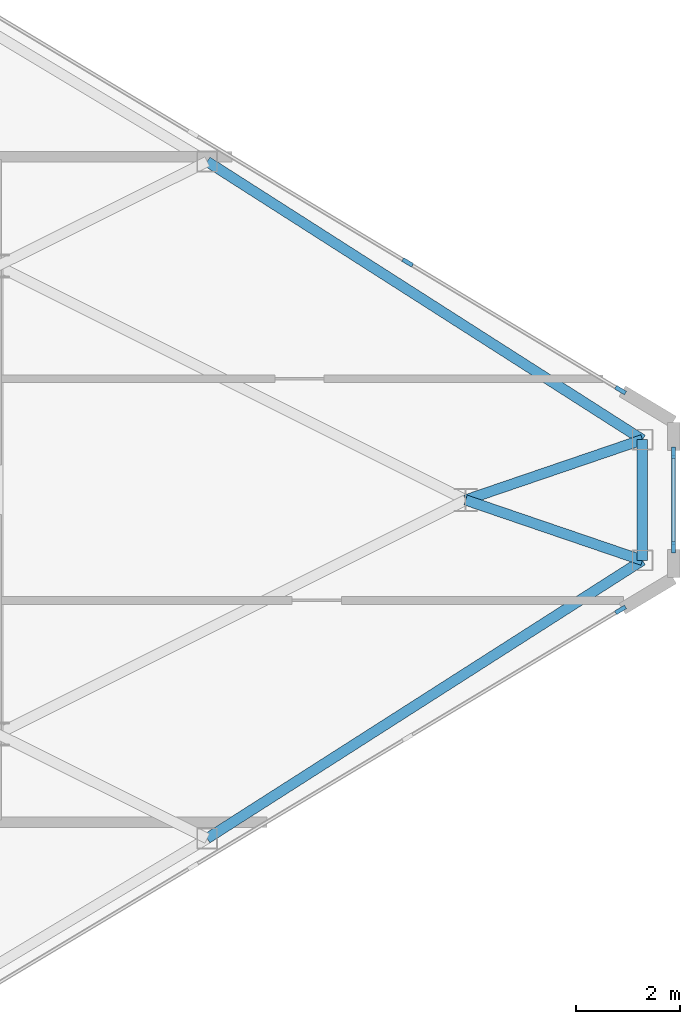
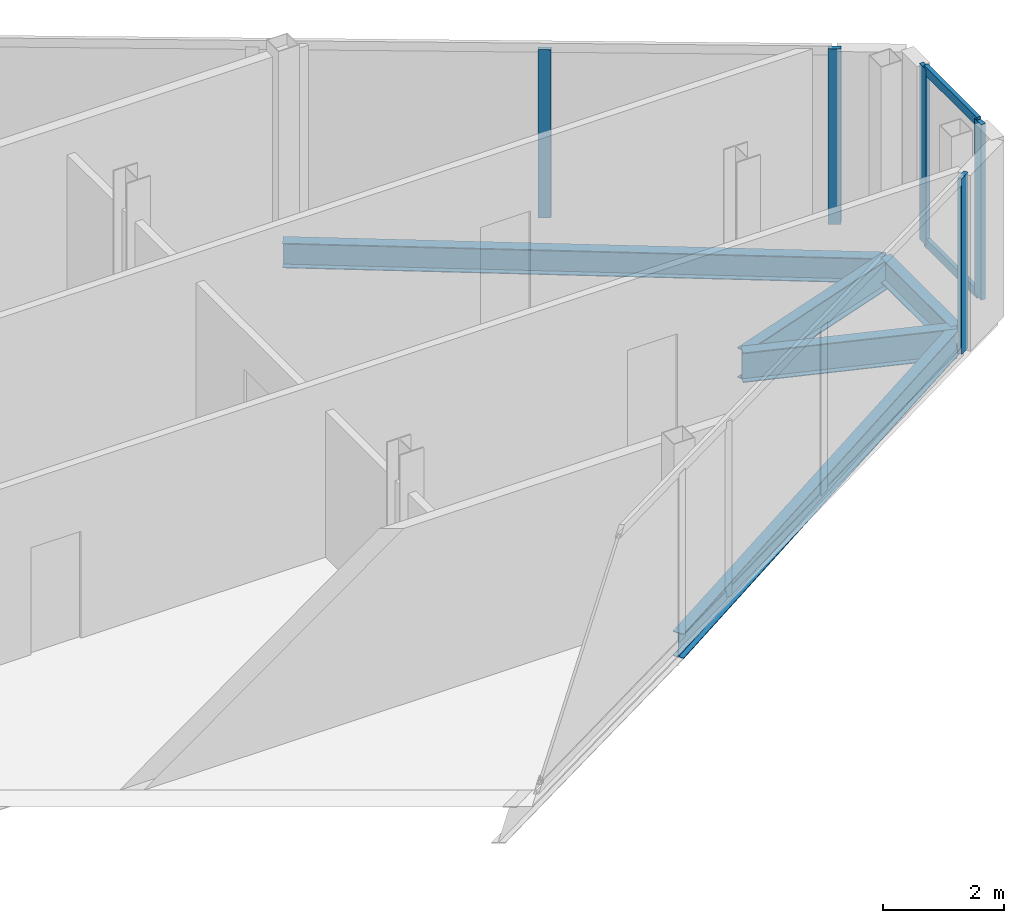
# One storey, part 18 of 29: 7 members, 5 beams, 3 elements without a shape of their own.
"""IFC4 building model written with IfcOpenShell, lengths in metres."""

from ifc_helpers import new_model, si_unit, direction, frame, origin, origin_2d, place, context, subcontext, project, spatial, rectangle, i_section, extrude, source, transform, mapped, material, layer, layer_set, material_profile, profile_set, type_object, type_shapes, element, aggregate, save


model = new_model("IFC4")

# Units and contexts
model_context = context("Model", 3, precision=1e-05, world=origin(), true_north=direction((0.0, 1.0)))
body_context = subcontext(model_context, "Body", "Model", "MODEL_VIEW")
ifc_project = project(units=[si_unit("LENGTHUNIT", "METRE"), si_unit("AREAUNIT", "SQUARE_METRE"), si_unit("VOLUMEUNIT", "CUBIC_METRE"), si_unit("PLANEANGLEUNIT", "RADIAN"), si_unit("MASSUNIT", "GRAM", prefix="KILO")], contexts=[model_context])

# Site, building, storey
site_placement = place(None, origin())
site = spatial("IfcSite", under=ifc_project, at=site_placement, CompositionType="ELEMENT")
building_placement = place(site_placement, origin())
building = spatial("IfcBuilding", under=site, at=building_placement, Name="Seokmaru Belvedere", CompositionType="ELEMENT")
storey_placement = place(building_placement, frame((0.0, 0.0, 239.39990234375)))
storey = spatial("IfcBuildingStorey", under=building, at=storey_placement, Name="L63", CompositionType="ELEMENT", Elevation=239.39990234375)

# Beams
ifc_material_1 = material(Name="Steel SM355 (355 MPa)", Category="steel")
ifc_material_profile_1 = material_profile(ifc_material_1, i_section(OverallWidth=0.199951171875, OverallDepth=0.5, WebThickness=0.010009765625, FlangeThickness=0.01611328125, at=origin_2d()), Name="H-500x200x10x16")
ifc_profile_set_1 = profile_set([ifc_material_profile_1], Name="Steel SM355 (355 MPa)")
beam_type_1 = type_object("IfcBeamType", Name="Perimeter Spandrel Beam H-500", PredefinedType="SPANDREL", material=ifc_profile_set_1)
shared_shape_1 = source(origin(), body_context, "Body", "SweptSolid", [
    extrude(i_section(OverallWidth=0.199951171875, OverallDepth=0.5, WebThickness=0.010009765625, FlangeThickness=0.01611328125, at=origin_2d()), origin(), (0.0, 0.0, 1.0), 9.932861328125),
])
for number, where, z_axis, x_axis, name in (
    (1, (58.530029296875, -6.5087890625, -0.469970703125), (0.842651960357, 0.538458609093, 0.0), (-0.538458609093, 0.842651960357, 0.0), "L63 E Faceted Flank Spandrel S-4"),
    (2, (58.530029296875, 6.5087890625, -0.469970703125), (0.842651960357, -0.538458609093, 0.0), (0.538458609093, 0.842651960357, 0.0), "L63 E Faceted Flank Spandrel N-4"),
):
    element("IfcBeam", number, at=place(storey_placement, frame(where, z_axis=z_axis, x_axis=x_axis)), inside=storey, type_object=beam_type_1, Name=name, PredefinedType="SPANDREL", context=body_context, shape_type="MappedRepresentation", body=[
        mapped(shared_shape_1, transform((0.0, 0.0, 0.0), scale=1.0)),
    ])
shared_shape_2 = source(origin(), body_context, "Body", "SweptSolid", [
    extrude(i_section(OverallWidth=0.199951171875, OverallDepth=0.5, WebThickness=0.010009765625, FlangeThickness=0.01611328125, at=origin_2d()), origin(), (0.0, 0.0, 1.0), 2.32080078125),
])
type_shapes(beam_type_1, [shared_shape_1, shared_shape_2])
beam_placement = place(storey_placement, frame((66.89990234375, -1.160400390625, -0.469970703125), z_axis=(0.0, 1.0, 0.0), x_axis=(-1.0, 0.0, 0.0)))
element("IfcBeam", 3, at=beam_placement, inside=storey, type_object=beam_type_1, Name="L63 E Faceted Apex Spandrel", PredefinedType="SPANDREL", context=body_context, shape_type="MappedRepresentation", body=[
    mapped(shared_shape_2, transform((0.0, 0.0, 0.0), scale=1.0)),
])
ifc_material_profile_2 = material_profile(ifc_material_1, i_section(OverallWidth=0.199951171875, OverallDepth=0.60009765625, WebThickness=0.010986328125, FlangeThickness=0.01708984375, at=origin_2d()), Name="H-600x200x11x17")
ifc_profile_set_2 = profile_set([ifc_material_profile_2], Name="Steel SM355 (355 MPa)")
beam_type_2 = type_object("IfcBeamType", Name="Primary Floor Girder H-600", PredefinedType="BEAM", material=ifc_profile_set_2)
shared_shape_3 = source(origin(), body_context, "Body", "SweptSolid", [
    extrude(i_section(OverallWidth=0.199951171875, OverallDepth=0.60009765625, WebThickness=0.010986328125, FlangeThickness=0.01708984375, at=origin_2d()), origin(), (0.0, 0.0, 1.0), 3.592529296875),
])
type_shapes(beam_type_2, [shared_shape_3])
for number, where, z_axis, x_axis, name in (
    (4, (66.89990234375, -1.160400390625, -0.52001953125), (-0.946395973048, 0.323008764893, 0.0), (-0.323008764893, -0.946395973048, 0.0), "L63 E Apex Radial Floor Girder 1"),
    (5, (66.89990234375, 1.160400390625, -0.52001953125), (-0.946395973048, -0.323008764893, 0.0), (0.323008764893, -0.946395973048, 0.0), "L63 E Apex Radial Floor Girder 2"),
):
    element("IfcBeam", number, at=place(storey_placement, frame(where, z_axis=z_axis, x_axis=x_axis)), inside=storey, type_object=beam_type_2, Name=name, PredefinedType="BEAM", context=body_context, shape_type="MappedRepresentation", body=[
        mapped(shared_shape_3, transform((0.0, 0.0, 0.0), scale=1.0)),
    ])

# Curtain wall, members
ifc_material_2 = material(Name="Bronze Triple Insulating Glass", Category="glass")
ifc_layer = layer(ifc_material_2, 0.219970703125)
ifc_layer_set = layer_set([ifc_layer], Name="Bronze Triple Insulating Glass")
curtain_wall_type = type_object("IfcCurtainWallType", Name="Sky-Gate Bridge Panorama Curtain Wall System CW-6", PredefinedType="NOTDEFINED", material=ifc_layer_set)
curtain_wall_1_placement = place(storey_placement, origin())
curtain_wall_1 = element("IfcCurtainWall", 6, at=curtain_wall_1_placement, inside=storey, type_object=curtain_wall_type, Name="L63 Curtain Wall EF2", PredefinedType="NOTDEFINED")
ifc_material_3 = material(Name="Anodised Bronze Aluminium", Category="aluminium")
ifc_material_profile_3 = material_profile(ifc_material_3, rectangle(XDim=0.074951171875, YDim=0.179931640625, at=origin_2d()), Name="CW-T-75x180")
ifc_profile_set_3 = profile_set([ifc_material_profile_3], Name="Anodised Bronze Aluminium")
member_type_1 = type_object("IfcMemberType", Name="Bronze Unitised Transom 75x180", PredefinedType="USERDEFINED", material=ifc_profile_set_3)
shared_shape_4 = source(origin(), body_context, "Body", "SweptSolid", [
    extrude(rectangle(XDim=0.074951171875, YDim=0.179931640625, at=origin_2d()), origin(), (0.0, 0.0, 1.0), 1.740234375),
])
type_shapes(member_type_1, [shared_shape_4])
member_1_placement = place(storey_placement, frame((67.5, -0.8701171875, 0.03759765625), z_axis=(0.0, 1.0, 0.0), x_axis=(-1.0, 0.0, 0.0)))
member_1 = element("IfcMember", 7, at=member_1_placement, type_object=member_type_1, Name="CW:L63:EF2 Continuous Transom 1", ObjectType="TRANSOM", PredefinedType="USERDEFINED", context=body_context, shape_type="MappedRepresentation", body=[
    mapped(shared_shape_4, transform((0.0, 0.0, 0.0), scale=1.0)),
])
member_2_placement = place(storey_placement, frame((67.5, -0.8701171875, 3.49267578125), z_axis=(0.0, 1.0, 0.0), x_axis=(-1.0, 0.0, 0.0)))
member_2 = element("IfcMember", 8, at=member_2_placement, type_object=member_type_1, Name="CW:L63:EF2 Continuous Transom 2", ObjectType="TRANSOM", PredefinedType="USERDEFINED", context=body_context, shape_type="MappedRepresentation", body=[
    mapped(shared_shape_4, transform((0.0, 0.0, 0.0), scale=1.0)),
])

# Curtain wall, member
curtain_wall_2_placement = place(storey_placement, origin())
curtain_wall_2 = element("IfcCurtainWall", 9, at=curtain_wall_2_placement, inside=storey, type_object=curtain_wall_type, Name="L63 Curtain Wall EF1", PredefinedType="NOTDEFINED")
ifc_material_profile_4 = material_profile(ifc_material_3, rectangle(XDim=0.080078125, YDim=0.219970703125, at=origin_2d()), Name="CW-M-80x220")
ifc_profile_set_4 = profile_set([ifc_material_profile_4], Name="Anodised Bronze Aluminium")
member_type_2 = type_object("IfcMemberType", Name="Bronze Unitised Mullion 80x220", PredefinedType="MULLION", material=ifc_profile_set_4)
shared_shape_5 = source(origin(), body_context, "Body", "SweptSolid", [
    extrude(rectangle(XDim=0.080078125, YDim=0.219970703125, at=origin_2d()), origin(), (0.0, 0.0, 1.0), 3.530029296875),
])
member_3_placement = place(storey_placement, frame((66.4794921875, -2.1123046875, 0.0), z_axis=(0.0, 0.0, 1.0), x_axis=(-0.514494909364, 0.85749343335, 0.0)))
member_3 = element("IfcMember", 10, at=member_3_placement, type_object=member_type_2, Name="CW:L63:EF1 Mullion 9", PredefinedType="MULLION", context=body_context, shape_type="MappedRepresentation", body=[
    mapped(shared_shape_5, transform((0.0, 0.0, 0.0), scale=1.0)),
])
aggregate(curtain_wall_2, [member_3])

# Member
member_4_placement = place(storey_placement, frame((67.5, -0.909912109375, 0.0), z_axis=(0.0, 0.0, 1.0), x_axis=(-1.0, 0.0, 0.0)))
member_4 = element("IfcMember", 11, at=member_4_placement, type_object=member_type_2, Name="CW:L63:EF2 Mullion 1", PredefinedType="MULLION", context=body_context, shape_type="MappedRepresentation", body=[
    mapped(shared_shape_5, transform((0.0, 0.0, 0.0), scale=1.0)),
])

member_5_placement = place(storey_placement, frame((67.5, 0.909912109375, 0.0), z_axis=(0.0, 0.0, 1.0), x_axis=(-1.0, 0.0, 0.0)))
member_5 = element("IfcMember", 12, at=member_5_placement, type_object=member_type_2, Name="CW:L63:EF2 Mullion 2", PredefinedType="MULLION", context=body_context, shape_type="MappedRepresentation", body=[
    mapped(shared_shape_5, transform((0.0, 0.0, 0.0), scale=1.0)),
])

aggregate(curtain_wall_1, [member_4, member_5, member_1, member_2])

# Curtain wall, members
curtain_wall_3_placement = place(storey_placement, origin())
curtain_wall_3 = element("IfcCurtainWall", 13, at=curtain_wall_3_placement, inside=storey, type_object=curtain_wall_type, Name="L63 Curtain Wall EF3", PredefinedType="NOTDEFINED")
member_6_placement = place(storey_placement, frame((66.4794921875, 2.1123046875, 0.0), z_axis=(0.0, 0.0, 1.0), x_axis=(-0.514494909364, -0.85749343335, 0.0)))
member_6 = element("IfcMember", 14, at=member_6_placement, type_object=member_type_2, Name="CW:L63:EF3 Mullion 1", PredefinedType="MULLION", context=body_context, shape_type="MappedRepresentation", body=[
    mapped(shared_shape_5, transform((0.0, 0.0, 0.0), scale=1.0)),
])
shared_shape_6 = source(origin(), body_context, "Body", "SweptSolid", [
    extrude(rectangle(XDim=0.080078125, YDim=0.219970703125, at=origin_2d()), origin(), (0.0, 0.0, 1.0), 3.3798828125),
])
type_shapes(member_type_2, [shared_shape_5, shared_shape_6])
member_7_placement = place(storey_placement, frame((62.385498046875, 4.56884765625, 0.0751953125), z_axis=(0.0, 0.0, 1.0), x_axis=(-0.514494909364, -0.85749343335, 0.0)))
member_7 = element("IfcMember", 15, at=member_7_placement, type_object=member_type_2, Name="CW:L63:EF3 Mullion 2", PredefinedType="MULLION", context=body_context, shape_type="MappedRepresentation", body=[
    mapped(shared_shape_6, transform((0.0, 0.0, 0.0), scale=1.0)),
])
aggregate(curtain_wall_3, [member_6, member_7])

save(model, "model.ifc")
